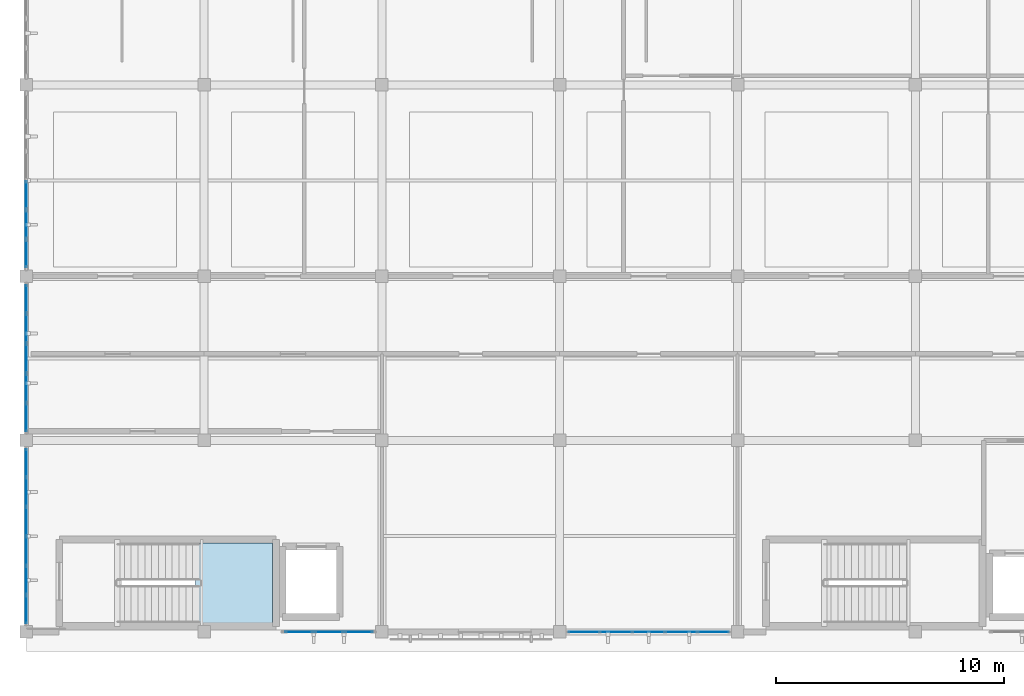
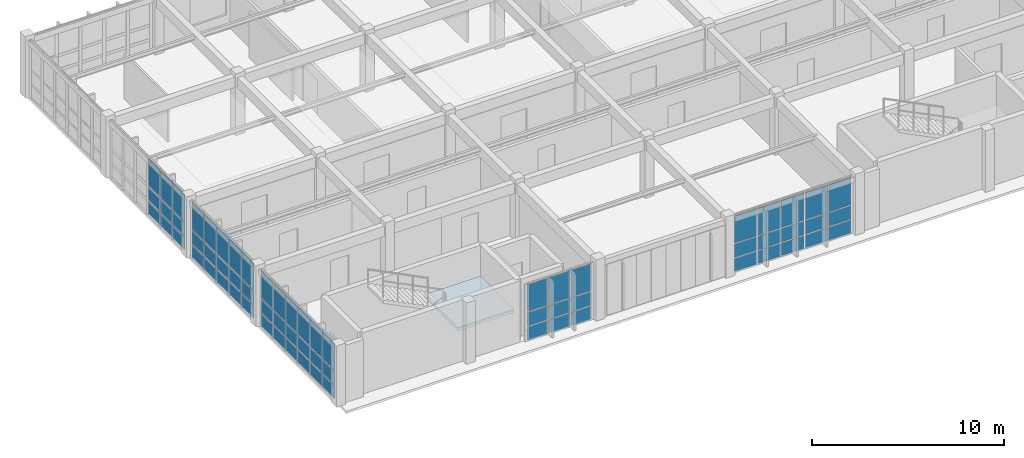
# One storey, part 18 of 35: 66 plates, 1 slab, 6 elements without a shape of their own.
"""IFC4 building model written with IfcOpenShell, lengths in metres."""

import ifcopenshell
import ifcopenshell.guid

model = None  # the IFC model being written
_history = None  # IfcOwnerHistory: only IFC2X3 demands one
_inside = {}  # id of a spatial element -> (the spatial element, [elements in it])
_under = {}  # id of a project, library or spatial element -> (it, [spatial elements below it])
_declared = {}  # id of a project -> (the project, [libraries it declares])
_typed = {}  # id of a type object -> (the type object, [elements of that type])
_made_of = {}  # id of a material, layer set ... -> (it, [elements and type objects made of it])


def new_model(schema):
    """Start an empty IFC model of exactly this schema.

    Asked for "IFC4X3", IfcOpenShell would pick the latest addendum, in which some entities
    have other attributes; the version numbers below select the first issue.
    IFC2X3 requires an IfcOwnerHistory on every rooted entity: one is made here for all.
    """
    global model, _history
    if schema == "IFC4X3":
        model = ifcopenshell.file(schema_version=(4, 3, 0, 0))
    else:
        model = ifcopenshell.file(schema=schema)
    _inside.clear()
    _under.clear()
    _declared.clear()
    _typed.clear()
    _made_of.clear()
    _history = None
    if model.schema == "IFC2X3":
        org = make("IfcOrganization", Name="unknown")
        user = make(
            "IfcPersonAndOrganization",
            ThePerson=make("IfcPerson", FamilyName="unknown"),
            TheOrganization=org,
        )
        app = make(
            "IfcApplication",
            ApplicationDeveloper=org,
            Version="unknown",
            ApplicationFullName="unknown",
            ApplicationIdentifier="unknown",
        )
        _history = make(
            "IfcOwnerHistory",
            OwningUser=user,
            OwningApplication=app,
            ChangeAction="ADDED",
            CreationDate=0,
        )
    return model


def make(cls, **values):
    """One entity of the class cls with the attributes given. An attribute that is None is left unset."""
    return model.create_entity(
        cls, **{name: value for name, value in values.items() if value is not None}
    )


def rooted(cls, **values):
    """An entity with a GlobalId (a new one), such as an element, a storey or a relation."""
    return make(cls, GlobalId=ifcopenshell.guid.new(), OwnerHistory=_history, **values)


def si_unit(unit_type, name, prefix=None):
    """IfcSIUnit, for example si_unit("LENGTHUNIT", "METRE", prefix="MILLI")."""
    return make("IfcSIUnit", UnitType=unit_type, Prefix=prefix, Name=name)


def assignment(units):
    """IfcUnitAssignment: the units of a project."""
    return None if units is None else make("IfcUnitAssignment", Units=units)


def point(xyz):
    """IfcCartesianPoint."""
    return None if xyz is None else make("IfcCartesianPoint", Coordinates=xyz)


def direction(xyz):
    """IfcDirection."""
    return None if xyz is None else make("IfcDirection", DirectionRatios=xyz)


def frame(location, z_axis=None, x_axis=None):
    """IfcAxis2Placement3D, a coordinate frame: its origin and axes. An axis left out is left unset."""
    return make(
        "IfcAxis2Placement3D",
        Location=point(location),
        Axis=direction(z_axis),
        RefDirection=direction(x_axis),
    )


def frame_2d(location, x_axis=None):
    """IfcAxis2Placement2D, a coordinate frame in the plane: its origin and x axis."""
    return make(
        "IfcAxis2Placement2D", Location=point(location), RefDirection=direction(x_axis)
    )


def origin():
    """The frame at (0, 0, 0) with its axes left unset."""
    return frame((0.0, 0.0, 0.0))


def origin_2d():
    """The frame at (0, 0) in the plane with its x axis left unset."""
    return frame_2d((0.0, 0.0))


def place(relative_to, where):
    """IfcLocalPlacement: puts the frame where relative to a parent placement (None: the world)."""
    return make(
        "IfcLocalPlacement", PlacementRelTo=relative_to, RelativePlacement=where
    )


def context(
    kind, dimensions, precision=None, world=None, true_north=None, identifier=None
):
    """IfcGeometricRepresentationContext, for example the 3D "Model" context."""
    return make(
        "IfcGeometricRepresentationContext",
        ContextIdentifier=identifier,
        ContextType=kind,
        CoordinateSpaceDimension=dimensions,
        Precision=precision,
        WorldCoordinateSystem=world,
        TrueNorth=true_north,
    )


def subcontext(parent, identifier, kind, view, scale=None):
    """IfcGeometricRepresentationSubContext, for example "Body" below "Model"."""
    return make(
        "IfcGeometricRepresentationSubContext",
        ContextIdentifier=identifier,
        ContextType=kind,
        ParentContext=parent,
        TargetScale=scale,
        TargetView=view,
    )


def project(units=None, contexts=None):
    """IfcProject with its units and contexts."""
    return rooted(
        "IfcProject",
        Name="project",
        RepresentationContexts=contexts,
        UnitsInContext=assignment(units),
    )


def spatial(cls, under=None, at=None, **own):
    """A site, building, storey or space (cls), placed at a placement, below another one or the project."""
    s = rooted(cls, ObjectPlacement=at, **own)
    if under is not None:
        _under.setdefault(under.id(), (under, []))[1].append(s)
    return s


def polyline(points):
    """IfcPolyline through the points."""
    return make("IfcPolyline", Points=[point(p) for p in points])


def profile(cls, at=None, kind="AREA", **sizes):
    """A parametric profile (cls). Its sizes go by their IFC names, for example OverallWidth=200.0."""
    return make(cls, ProfileType=kind, Position=at, **sizes)


def rectangle(**sizes):
    """IfcRectangleProfileDef."""
    return profile("IfcRectangleProfileDef", **sizes)


def outline(outer, holes=None, kind="AREA"):
    """IfcArbitraryClosedProfileDef: a profile drawn as a closed curve; with holes, ...WithVoids."""
    if holes is None:
        return make("IfcArbitraryClosedProfileDef", ProfileType=kind, OuterCurve=outer)
    return make(
        "IfcArbitraryProfileDefWithVoids",
        ProfileType=kind,
        OuterCurve=outer,
        InnerCurves=holes,
    )


def extrude(swept, where, along, depth):
    """IfcExtrudedAreaSolid: the profile swept, set in the frame where, extruded along a direction by depth."""
    return make(
        "IfcExtrudedAreaSolid",
        SweptArea=swept,
        Position=where,
        ExtrudedDirection=direction(along),
        Depth=depth,
    )


def shape(context_of_items, identifier, shape_type, items):
    """IfcShapeRepresentation: the items that make up one representation, for example the "Body"."""
    return make(
        "IfcShapeRepresentation",
        ContextOfItems=context_of_items,
        RepresentationIdentifier=identifier,
        RepresentationType=shape_type,
        Items=items,
    )


def material(Name=None, Category=None):
    """IfcMaterial."""
    return make("IfcMaterial", Name=Name, Category=Category)


def layer(
    of_material, thickness, ventilated=None, Name=None, Category=None, Priority=None
):
    """IfcMaterialLayer: one layer of a wall or slab, of a material (None: an air gap)."""
    return make(
        "IfcMaterialLayer",
        Material=of_material,
        LayerThickness=thickness,
        IsVentilated=ventilated,
        Name=Name,
        Category=Category,
        Priority=Priority,
    )


def layer_set(layers, Name=None):
    """IfcMaterialLayerSet."""
    return make("IfcMaterialLayerSet", MaterialLayers=layers, LayerSetName=Name)


def made_of(thing, what):
    """Note that an element or type object is made of a material, layer set ...; save() writes the relation."""
    if what is not None:
        _made_of.setdefault(what.id(), (what, []))[1].append(thing)
    return thing


def type_object(cls, material=None, **own):
    """A type object (cls), such as IfcWallType, which elements share."""
    return made_of(rooted(cls, **own), material)


def element(
    cls,
    number,
    at=None,
    inside=None,
    cuts=None,
    type_object=None,
    material=None,
    context=None,
    identifier="Body",
    shape_type=None,
    held_by="IfcProductDefinitionShape",
    body=None,
    shapes=None,
    **own,
):
    """One element of the class cls, such as IfcWall. Its Tag is "e" and its number.

    at: its placement. inside: the storey or other place that contains it. cuts: it is an
    opening in that element (IfcRelVoidsElement). A single representation is given by context,
    identifier, shape_type and body (its items); several are given by shapes. held_by: the class
    of the entity that holds the representations. save() writes the other relations.
    """
    e = rooted(cls, Tag="e%d" % number, ObjectPlacement=at, **own)
    if body is not None:
        shapes = [shape(context, identifier, shape_type, body)]
    if shapes is not None:
        e.Representation = make(held_by, Representations=shapes)
    if inside is not None:
        _inside.setdefault(inside.id(), (inside, []))[1].append(e)
    if cuts is not None:
        rooted(
            "IfcRelVoidsElement", RelatingBuildingElement=cuts, RelatedOpeningElement=e
        )
    if type_object is not None:
        _typed.setdefault(type_object.id(), (type_object, []))[1].append(e)
    return made_of(e, material)


def aggregate(whole, parts):
    """IfcRelAggregates: a whole, such as a stair, and the parts it consists of."""
    return rooted("IfcRelAggregates", RelatingObject=whole, RelatedObjects=parts)


def save(model, path):
    """Write the relations noted so far, then the file.

    IfcRelAggregates (storeys below a building ...), IfcRelContainedInSpatialStructure (elements
    in a storey), IfcRelDefinesByType, IfcRelAssociatesMaterial and IfcRelDeclares: one each for
    every whole, place, type object, material and project.
    """
    for whole, parts in _under.values():
        aggregate(whole, parts)
    for where, things in _inside.values():
        rooted(
            "IfcRelContainedInSpatialStructure",
            RelatedElements=things,
            RelatingStructure=where,
        )
    for kind, things in _typed.values():
        rooted("IfcRelDefinesByType", RelatedObjects=things, RelatingType=kind)
    for what, things in _made_of.values():
        rooted("IfcRelAssociatesMaterial", RelatedObjects=things, RelatingMaterial=what)
    for by, libraries in _declared.values():
        rooted("IfcRelDeclares", RelatingContext=by, RelatedDefinitions=libraries)
    model.write(path)


model = new_model("IFC4")

# Units and contexts
model_context = context("Model", 3, precision=1e-05, world=origin(), true_north=direction((0.0, 1.0)))
body_context = subcontext(model_context, "Body", "Model", "MODEL_VIEW")
ifc_project = project(units=[si_unit("LENGTHUNIT", "METRE"), si_unit("AREAUNIT", "SQUARE_METRE"), si_unit("VOLUMEUNIT", "CUBIC_METRE"), si_unit("PLANEANGLEUNIT", "RADIAN"), si_unit("MASSUNIT", "GRAM", prefix="KILO")], contexts=[model_context])

# Site, building, storey
site_placement = place(None, origin())
site = spatial("IfcSite", under=ifc_project, at=site_placement, CompositionType="ELEMENT")
building_placement = place(site_placement, origin())
building = spatial("IfcBuilding", under=site, at=building_placement, Name="Tizgana Railside Sports Hall", CompositionType="ELEMENT")
storey_placement = place(building_placement, frame((0.0, 0.0, 15.89990234375)))
storey = spatial("IfcBuildingStorey", under=building, at=storey_placement, Name="L03", CompositionType="ELEMENT", Elevation=15.89990234375)

# Curtain wall, plates
ifc_material_1 = material(Name="Anodised aluminium and glass", Category="aluminium")
curtain_wall_type_1 = type_object("IfcCurtainWallType", Name="Unitised Curtain Wall Foyer 1300", PredefinedType="NOTDEFINED", material=ifc_material_1)
curtain_wall_1_placement = place(storey_placement, origin())
curtain_wall_1 = element("IfcCurtainWall", 1, at=curtain_wall_1_placement, inside=storey, type_object=curtain_wall_type_1, Name="L03 Curtain Wall CW-0129", PredefinedType="NOTDEFINED")
ifc_material_2 = material(Name="Double low-E laminated glass", Category="glass")
ifc_layer_1 = layer(ifc_material_2, 0.033935546875, Name="Double low-E laminated glass")
ifc_layer_set_1 = layer_set([ifc_layer_1], Name="Double low-E laminated glass")
plate_type_1 = type_object("IfcPlateType", Name="Acoustic Laminated Glazing Panel 34", PredefinedType="CURTAIN_PANEL", material=ifc_layer_set_1)
plate_1_placement = place(storey_placement, frame((7.800048828125, 14.599853515625, 0.06494140625), z_axis=(0.0, 0.0, 1.0), x_axis=(0.0, -1.0, 0.0)))
plate_1 = element("IfcPlate", 2, at=plate_1_placement, type_object=plate_type_1, Name="CW-02 panel 1.1", PredefinedType="CURTAIN_PANEL", context=body_context, shape_type="SweptSolid", body=[
    extrude(rectangle(XDim=1.21044921875, YDim=0.033935546875, at=origin_2d()), origin(), (0.0, 0.0, 1.0), 0.802490234375),
])
plate_2_placement = place(storey_placement, frame((7.800048828125, 14.599853515625, 0.9326171875), z_axis=(0.0, 0.0, 1.0), x_axis=(0.0, -1.0, 0.0)))
plate_2 = element("IfcPlate", 3, at=plate_2_placement, type_object=plate_type_1, Name="CW-02 panel 1.2", PredefinedType="CURTAIN_PANEL", context=body_context, shape_type="SweptSolid", body=[
    extrude(rectangle(XDim=1.21044921875, YDim=0.033935546875, at=origin_2d()), origin(), (0.0, 0.0, 1.0), 0.85498046875),
])
plate_3_placement = place(storey_placement, frame((7.800048828125, 14.599853515625, 1.8525390625), z_axis=(0.0, 0.0, 1.0), x_axis=(0.0, -1.0, 0.0)))
plate_3 = element("IfcPlate", 4, at=plate_3_placement, type_object=plate_type_1, Name="CW-02 panel 1.3", PredefinedType="CURTAIN_PANEL", context=body_context, shape_type="SweptSolid", body=[
    extrude(rectangle(XDim=1.21044921875, YDim=0.033935546875, at=origin_2d()), origin(), (0.0, 0.0, 1.0), 1.722412109375),
])
plate_4_placement = place(storey_placement, frame((7.800048828125, 13.30810546875, 0.06494140625), z_axis=(0.0, 0.0, 1.0), x_axis=(0.0, -1.0, 0.0)))
plate_4 = element("IfcPlate", 5, at=plate_4_placement, type_object=plate_type_1, Name="CW-02 panel 2.1", PredefinedType="CURTAIN_PANEL", context=body_context, shape_type="SweptSolid", body=[
    extrude(rectangle(XDim=1.242919921875, YDim=0.033935546875, at=origin_2d()), origin(), (0.0, 0.0, 1.0), 0.802490234375),
])
plate_5_placement = place(storey_placement, frame((7.800048828125, 13.30810546875, 0.9326171875), z_axis=(0.0, 0.0, 1.0), x_axis=(0.0, -1.0, 0.0)))
plate_5 = element("IfcPlate", 6, at=plate_5_placement, type_object=plate_type_1, Name="CW-02 panel 2.2", PredefinedType="CURTAIN_PANEL", context=body_context, shape_type="SweptSolid", body=[
    extrude(rectangle(XDim=1.242919921875, YDim=0.033935546875, at=origin_2d()), origin(), (0.0, 0.0, 1.0), 0.85498046875),
])
plate_6_placement = place(storey_placement, frame((7.800048828125, 13.30810546875, 1.8525390625), z_axis=(0.0, 0.0, 1.0), x_axis=(0.0, -1.0, 0.0)))
plate_6 = element("IfcPlate", 7, at=plate_6_placement, type_object=plate_type_1, Name="CW-02 panel 2.3", PredefinedType="CURTAIN_PANEL", context=body_context, shape_type="SweptSolid", body=[
    extrude(rectangle(XDim=1.242919921875, YDim=0.033935546875, at=origin_2d()), origin(), (0.0, 0.0, 1.0), 1.722412109375),
])
plate_7_placement = place(storey_placement, frame((7.800048828125, 12.0, 0.06494140625), z_axis=(0.0, 0.0, 1.0), x_axis=(0.0, -1.0, 0.0)))
plate_7 = element("IfcPlate", 8, at=plate_7_placement, type_object=plate_type_1, Name="CW-02 panel 3.1", PredefinedType="CURTAIN_PANEL", context=body_context, shape_type="SweptSolid", body=[
    extrude(rectangle(XDim=1.242919921875, YDim=0.033935546875, at=origin_2d()), origin(), (0.0, 0.0, 1.0), 0.802490234375),
])
plate_8_placement = place(storey_placement, frame((7.800048828125, 12.0, 0.9326171875), z_axis=(0.0, 0.0, 1.0), x_axis=(0.0, -1.0, 0.0)))
plate_8 = element("IfcPlate", 9, at=plate_8_placement, type_object=plate_type_1, Name="CW-02 panel 3.2", PredefinedType="CURTAIN_PANEL", context=body_context, shape_type="SweptSolid", body=[
    extrude(rectangle(XDim=1.242919921875, YDim=0.033935546875, at=origin_2d()), origin(), (0.0, 0.0, 1.0), 0.85498046875),
])
plate_9_placement = place(storey_placement, frame((7.800048828125, 12.0, 1.8525390625), z_axis=(0.0, 0.0, 1.0), x_axis=(0.0, -1.0, 0.0)))
plate_9 = element("IfcPlate", 10, at=plate_9_placement, type_object=plate_type_1, Name="CW-02 panel 3.3", PredefinedType="CURTAIN_PANEL", context=body_context, shape_type="SweptSolid", body=[
    extrude(rectangle(XDim=1.242919921875, YDim=0.033935546875, at=origin_2d()), origin(), (0.0, 0.0, 1.0), 1.722412109375),
])
plate_10_placement = place(storey_placement, frame((7.800048828125, 10.69189453125, 0.06494140625), z_axis=(0.0, 0.0, 1.0), x_axis=(0.0, -1.0, 0.0)))
plate_10 = element("IfcPlate", 11, at=plate_10_placement, type_object=plate_type_1, Name="CW-02 panel 4.1", PredefinedType="CURTAIN_PANEL", context=body_context, shape_type="SweptSolid", body=[
    extrude(rectangle(XDim=1.242919921875, YDim=0.033935546875, at=origin_2d()), origin(), (0.0, 0.0, 1.0), 0.802490234375),
])
plate_11_placement = place(storey_placement, frame((7.800048828125, 10.69189453125, 0.9326171875), z_axis=(0.0, 0.0, 1.0), x_axis=(0.0, -1.0, 0.0)))
plate_11 = element("IfcPlate", 12, at=plate_11_placement, type_object=plate_type_1, Name="CW-02 panel 4.2", PredefinedType="CURTAIN_PANEL", context=body_context, shape_type="SweptSolid", body=[
    extrude(rectangle(XDim=1.242919921875, YDim=0.033935546875, at=origin_2d()), origin(), (0.0, 0.0, 1.0), 0.85498046875),
])
plate_12_placement = place(storey_placement, frame((7.800048828125, 10.69189453125, 1.8525390625), z_axis=(0.0, 0.0, 1.0), x_axis=(0.0, -1.0, 0.0)))
plate_12 = element("IfcPlate", 13, at=plate_12_placement, type_object=plate_type_1, Name="CW-02 panel 4.3", PredefinedType="CURTAIN_PANEL", context=body_context, shape_type="SweptSolid", body=[
    extrude(rectangle(XDim=1.242919921875, YDim=0.033935546875, at=origin_2d()), origin(), (0.0, 0.0, 1.0), 1.722412109375),
])
plate_13_placement = place(storey_placement, frame((7.800048828125, 9.400146484375, 0.06494140625), z_axis=(0.0, 0.0, 1.0), x_axis=(0.0, -1.0, 0.0)))
plate_13 = element("IfcPlate", 14, at=plate_13_placement, type_object=plate_type_1, Name="CW-02 panel 5.1", PredefinedType="CURTAIN_PANEL", context=body_context, shape_type="SweptSolid", body=[
    extrude(rectangle(XDim=1.21044921875, YDim=0.033935546875, at=origin_2d()), origin(), (0.0, 0.0, 1.0), 0.802490234375),
])
plate_14_placement = place(storey_placement, frame((7.800048828125, 9.400146484375, 0.9326171875), z_axis=(0.0, 0.0, 1.0), x_axis=(0.0, -1.0, 0.0)))
plate_14 = element("IfcPlate", 15, at=plate_14_placement, type_object=plate_type_1, Name="CW-02 panel 5.2", PredefinedType="CURTAIN_PANEL", context=body_context, shape_type="SweptSolid", body=[
    extrude(rectangle(XDim=1.21044921875, YDim=0.033935546875, at=origin_2d()), origin(), (0.0, 0.0, 1.0), 0.85498046875),
])
plate_15_placement = place(storey_placement, frame((7.800048828125, 9.400146484375, 1.8525390625), z_axis=(0.0, 0.0, 1.0), x_axis=(0.0, -1.0, 0.0)))
plate_15 = element("IfcPlate", 16, at=plate_15_placement, type_object=plate_type_1, Name="CW-02 panel 5.3", PredefinedType="CURTAIN_PANEL", context=body_context, shape_type="SweptSolid", body=[
    extrude(rectangle(XDim=1.21044921875, YDim=0.033935546875, at=origin_2d()), origin(), (0.0, 0.0, 1.0), 1.722412109375),
])
aggregate(curtain_wall_1, [plate_1, plate_2, plate_3, plate_4, plate_5, plate_6, plate_7, plate_8, plate_9, plate_10, plate_11, plate_12, plate_13, plate_14, plate_15])

# Stair, slab
ifc_material_3 = material(Name="Concrete C35/45", Category="concrete")
stair_type = type_object("IfcStairType", Name="Core Protected Stair 1500", PredefinedType="HALF_TURN_STAIR", material=ifc_material_3)
stair_placement = place(storey_placement, origin())
stair = element("IfcStair", 17, at=stair_placement, inside=storey, type_object=stair_type, Name="L03 Core Stair ST-01", PredefinedType="HALF_TURN_STAIR")
ifc_layer_2 = layer(ifc_material_3, 0.199951171875, Name="Concrete C35/45")
ifc_layer_set_2 = layer_set([ifc_layer_2], Name="Concrete C35/45")
slab_type = type_object("IfcSlabType", Name="Core Stair Landing Slab 200", PredefinedType="LANDING", material=ifc_layer_set_2)
slab_placement = place(storey_placement, frame((0.0, 0.0, 1.75)))
slab = element("IfcSlab", 18, at=slab_placement, type_object=slab_type, Name="ST-01 landing 1", PredefinedType="LANDING", context=body_context, shape_type="SweptSolid", body=[
    extrude(outline(polyline([(15.219970703125, 0.39990234375), (18.60009765625, 0.39990234375), (18.60009765625, 3.89990234375), (15.219970703125, 3.89990234375), (15.219970703125, 0.39990234375)])), origin(), (0.0, 0.0, 1.0), 0.2001953125),
])
aggregate(stair, [slab])

# Curtain wall, plates
curtain_wall_type_2 = type_object("IfcCurtainWallType", Name="Unitised Curtain Wall Studio 1400", PredefinedType="NOTDEFINED", material=ifc_material_1)
curtain_wall_2_placement = place(storey_placement, origin())
curtain_wall_2 = element("IfcCurtainWall", 19, at=curtain_wall_2_placement, inside=storey, type_object=curtain_wall_type_2, Name="L03 Curtain Wall CW-0130", PredefinedType="NOTDEFINED")
ifc_layer_3 = layer(ifc_material_2, 0.0400390625, Name="Double low-E laminated glass")
ifc_layer_set_3 = layer_set([ifc_layer_3], Name="Double low-E laminated glass")
plate_type_2 = type_object("IfcPlateType", Name="High-Span Tempered Glazing Panel 40", PredefinedType="CURTAIN_PANEL", material=ifc_layer_set_3)
plate_16_placement = place(storey_placement, frame((7.800048828125, 19.155029296875, 0.070068359375), z_axis=(0.0, 0.0, 1.0), x_axis=(0.0, -1.0, 0.0)))
plate_16 = element("IfcPlate", 20, at=plate_16_placement, type_object=plate_type_2, Name="CW-03 panel 4.1", PredefinedType="CURTAIN_PANEL", context=body_context, shape_type="SweptSolid", body=[
    extrude(rectangle(XDim=1.219970703125, YDim=0.0400390625, at=origin_2d()), origin(), (0.0, 0.0, 1.0), 0.794921875),
])
plate_17_placement = place(storey_placement, frame((7.800048828125, 19.155029296875, 0.93505859375), z_axis=(0.0, 0.0, 1.0), x_axis=(0.0, -1.0, 0.0)))
plate_17 = element("IfcPlate", 21, at=plate_17_placement, type_object=plate_type_2, Name="CW-03 panel 4.2", PredefinedType="CURTAIN_PANEL", context=body_context, shape_type="SweptSolid", body=[
    extrude(rectangle(XDim=1.219970703125, YDim=0.0400390625, at=origin_2d()), origin(), (0.0, 0.0, 1.0), 0.85009765625),
])
plate_18_placement = place(storey_placement, frame((7.800048828125, 19.155029296875, 1.85498046875), z_axis=(0.0, 0.0, 1.0), x_axis=(0.0, -1.0, 0.0)))
plate_18 = element("IfcPlate", 22, at=plate_18_placement, type_object=plate_type_2, Name="CW-03 panel 4.3", PredefinedType="CURTAIN_PANEL", context=body_context, shape_type="SweptSolid", body=[
    extrude(rectangle(XDim=1.219970703125, YDim=0.0400390625, at=origin_2d()), origin(), (0.0, 0.0, 1.0), 1.715087890625),
])
plate_19_placement = place(storey_placement, frame((7.800048828125, 17.864990234375, 0.070068359375), z_axis=(0.0, 0.0, 1.0), x_axis=(0.0, -1.0, 0.0)))
plate_19 = element("IfcPlate", 23, at=plate_19_placement, type_object=plate_type_2, Name="CW-03 panel 5.1", PredefinedType="CURTAIN_PANEL", context=body_context, shape_type="SweptSolid", body=[
    extrude(rectangle(XDim=1.219970703125, YDim=0.0400390625, at=origin_2d()), origin(), (0.0, 0.0, 1.0), 0.794921875),
])
plate_20_placement = place(storey_placement, frame((7.800048828125, 17.864990234375, 0.93505859375), z_axis=(0.0, 0.0, 1.0), x_axis=(0.0, -1.0, 0.0)))
plate_20 = element("IfcPlate", 24, at=plate_20_placement, type_object=plate_type_2, Name="CW-03 panel 5.2", PredefinedType="CURTAIN_PANEL", context=body_context, shape_type="SweptSolid", body=[
    extrude(rectangle(XDim=1.219970703125, YDim=0.0400390625, at=origin_2d()), origin(), (0.0, 0.0, 1.0), 0.85009765625),
])
plate_21_placement = place(storey_placement, frame((7.800048828125, 17.864990234375, 1.85498046875), z_axis=(0.0, 0.0, 1.0), x_axis=(0.0, -1.0, 0.0)))
plate_21 = element("IfcPlate", 25, at=plate_21_placement, type_object=plate_type_2, Name="CW-03 panel 5.3", PredefinedType="CURTAIN_PANEL", context=body_context, shape_type="SweptSolid", body=[
    extrude(rectangle(XDim=1.219970703125, YDim=0.0400390625, at=origin_2d()), origin(), (0.0, 0.0, 1.0), 1.715087890625),
])
plate_22_placement = place(storey_placement, frame((7.800048828125, 16.592529296875, 0.070068359375), z_axis=(0.0, 0.0, 1.0), x_axis=(0.0, -1.0, 0.0)))
plate_22 = element("IfcPlate", 26, at=plate_22_placement, type_object=plate_type_2, Name="CW-03 panel 6.1", PredefinedType="CURTAIN_PANEL", context=body_context, shape_type="SweptSolid", body=[
    extrude(rectangle(XDim=1.18505859375, YDim=0.0400390625, at=origin_2d()), origin(), (0.0, 0.0, 1.0), 0.794921875),
])
plate_23_placement = place(storey_placement, frame((7.800048828125, 16.592529296875, 0.93505859375), z_axis=(0.0, 0.0, 1.0), x_axis=(0.0, -1.0, 0.0)))
plate_23 = element("IfcPlate", 27, at=plate_23_placement, type_object=plate_type_2, Name="CW-03 panel 6.2", PredefinedType="CURTAIN_PANEL", context=body_context, shape_type="SweptSolid", body=[
    extrude(rectangle(XDim=1.18505859375, YDim=0.0400390625, at=origin_2d()), origin(), (0.0, 0.0, 1.0), 0.85009765625),
])
plate_24_placement = place(storey_placement, frame((7.800048828125, 16.592529296875, 1.85498046875), z_axis=(0.0, 0.0, 1.0), x_axis=(0.0, -1.0, 0.0)))
plate_24 = element("IfcPlate", 28, at=plate_24_placement, type_object=plate_type_2, Name="CW-03 panel 6.3", PredefinedType="CURTAIN_PANEL", context=body_context, shape_type="SweptSolid", body=[
    extrude(rectangle(XDim=1.18505859375, YDim=0.0400390625, at=origin_2d()), origin(), (0.0, 0.0, 1.0), 1.715087890625),
])
aggregate(curtain_wall_2, [plate_16, plate_17, plate_18, plate_19, plate_20, plate_21, plate_22, plate_23, plate_24])

curtain_wall_type_3 = type_object("IfcCurtainWallType", Name="Unitised Curtain Wall EastHall 1500", PredefinedType="NOTDEFINED", material=ifc_material_1)
curtain_wall_3_placement = place(storey_placement, origin())
curtain_wall_3 = element("IfcCurtainWall", 29, at=curtain_wall_3_placement, inside=storey, type_object=curtain_wall_type_3, Name="L03 Curtain Wall CW-0119", PredefinedType="NOTDEFINED")
ifc_layer_4 = layer(ifc_material_2, 0.031982421875, Name="Double low-E laminated glass")
ifc_layer_set_4 = layer_set([ifc_layer_4], Name="Double low-E laminated glass")
plate_type_3 = type_object("IfcPlateType", Name="North-Light Clerestory Glazing Panel 32", PredefinedType="CURTAIN_PANEL", material=ifc_layer_set_4)
plate_25_placement = place(storey_placement, frame((22.38623046875, 0.0, 0.05517578125), z_axis=(0.0, 0.0, 1.0), x_axis=(-1.0, 0.0, 0.0)))
plate_25 = element("IfcPlate", 30, at=plate_25_placement, type_object=plate_type_3, Name="CW-08 panel 1.1", PredefinedType="CURTAIN_PANEL", context=body_context, shape_type="SweptSolid", body=[
    extrude(rectangle(XDim=1.217529296875, YDim=0.031982421875, at=origin_2d()), origin(), (0.0, 0.0, 1.0), 0.8173828125),
])
plate_26_placement = place(storey_placement, frame((22.38623046875, 0.0, 0.927734375), z_axis=(0.0, 0.0, 1.0), x_axis=(-1.0, 0.0, 0.0)))
plate_26 = element("IfcPlate", 31, at=plate_26_placement, type_object=plate_type_3, Name="CW-08 panel 1.2", PredefinedType="CURTAIN_PANEL", context=body_context, shape_type="SweptSolid", body=[
    extrude(rectangle(XDim=1.217529296875, YDim=0.031982421875, at=origin_2d()), origin(), (0.0, 0.0, 1.0), 0.864990234375),
])
plate_27_placement = place(storey_placement, frame((22.38623046875, 0.0, 1.84765625), z_axis=(0.0, 0.0, 1.0), x_axis=(-1.0, 0.0, 0.0)))
plate_27 = element("IfcPlate", 32, at=plate_27_placement, type_object=plate_type_3, Name="CW-08 panel 1.3", PredefinedType="CURTAIN_PANEL", context=body_context, shape_type="SweptSolid", body=[
    extrude(rectangle(XDim=1.217529296875, YDim=0.031982421875, at=origin_2d()), origin(), (0.0, 0.0, 1.0), 1.737548828125),
])
plate_28_placement = place(storey_placement, frame((21.074951171875, 0.0, 0.05517578125), z_axis=(0.0, 0.0, 1.0), x_axis=(-1.0, 0.0, 0.0)))
plate_28 = element("IfcPlate", 33, at=plate_28_placement, type_object=plate_type_3, Name="CW-08 panel 2.1", PredefinedType="CURTAIN_PANEL", context=body_context, shape_type="SweptSolid", body=[
    extrude(rectangle(XDim=1.2548828125, YDim=0.031982421875, at=origin_2d()), origin(), (0.0, 0.0, 1.0), 0.8173828125),
])
plate_29_placement = place(storey_placement, frame((21.074951171875, 0.0, 0.927734375), z_axis=(0.0, 0.0, 1.0), x_axis=(-1.0, 0.0, 0.0)))
plate_29 = element("IfcPlate", 34, at=plate_29_placement, type_object=plate_type_3, Name="CW-08 panel 2.2", PredefinedType="CURTAIN_PANEL", context=body_context, shape_type="SweptSolid", body=[
    extrude(rectangle(XDim=1.2548828125, YDim=0.031982421875, at=origin_2d()), origin(), (0.0, 0.0, 1.0), 0.864990234375),
])
plate_30_placement = place(storey_placement, frame((21.074951171875, 0.0, 1.84765625), z_axis=(0.0, 0.0, 1.0), x_axis=(-1.0, 0.0, 0.0)))
plate_30 = element("IfcPlate", 35, at=plate_30_placement, type_object=plate_type_3, Name="CW-08 panel 2.3", PredefinedType="CURTAIN_PANEL", context=body_context, shape_type="SweptSolid", body=[
    extrude(rectangle(XDim=1.2548828125, YDim=0.031982421875, at=origin_2d()), origin(), (0.0, 0.0, 1.0), 1.737548828125),
])
plate_31_placement = place(storey_placement, frame((19.763671875, 0.0, 0.05517578125), z_axis=(0.0, 0.0, 1.0), x_axis=(-1.0, 0.0, 0.0)))
plate_31 = element("IfcPlate", 36, at=plate_31_placement, type_object=plate_type_3, Name="CW-08 panel 3.1", PredefinedType="CURTAIN_PANEL", context=body_context, shape_type="SweptSolid", body=[
    extrude(rectangle(XDim=1.217529296875, YDim=0.031982421875, at=origin_2d()), origin(), (0.0, 0.0, 1.0), 0.8173828125),
])
plate_32_placement = place(storey_placement, frame((19.763671875, 0.0, 0.927734375), z_axis=(0.0, 0.0, 1.0), x_axis=(-1.0, 0.0, 0.0)))
plate_32 = element("IfcPlate", 37, at=plate_32_placement, type_object=plate_type_3, Name="CW-08 panel 3.2", PredefinedType="CURTAIN_PANEL", context=body_context, shape_type="SweptSolid", body=[
    extrude(rectangle(XDim=1.217529296875, YDim=0.031982421875, at=origin_2d()), origin(), (0.0, 0.0, 1.0), 0.864990234375),
])
plate_33_placement = place(storey_placement, frame((19.763671875, 0.0, 1.84765625), z_axis=(0.0, 0.0, 1.0), x_axis=(-1.0, 0.0, 0.0)))
plate_33 = element("IfcPlate", 38, at=plate_33_placement, type_object=plate_type_3, Name="CW-08 panel 3.3", PredefinedType="CURTAIN_PANEL", context=body_context, shape_type="SweptSolid", body=[
    extrude(rectangle(XDim=1.217529296875, YDim=0.031982421875, at=origin_2d()), origin(), (0.0, 0.0, 1.0), 1.737548828125),
])
aggregate(curtain_wall_3, [plate_25, plate_26, plate_27, plate_28, plate_29, plate_30, plate_31, plate_32, plate_33])

curtain_wall_type_4 = type_object("IfcCurtainWallType", Name="Unitised Curtain Wall Concourse 1500", PredefinedType="NOTDEFINED", material=ifc_material_1)
curtain_wall_4_placement = place(storey_placement, origin())
curtain_wall_4 = element("IfcCurtainWall", 39, at=curtain_wall_4_placement, inside=storey, type_object=curtain_wall_type_4, Name="L03 Curtain Wall CW-0120", PredefinedType="NOTDEFINED")
ifc_layer_5 = layer(ifc_material_2, 0.028076171875, Name="Double low-E laminated glass")
ifc_layer_set_5 = layer_set([ifc_layer_5], Name="Double low-E laminated glass")
plate_type_4 = type_object("IfcPlateType", Name="Solar Low-E Glazing Panel 28", PredefinedType="CURTAIN_PANEL", material=ifc_layer_set_5)
plate_34_placement = place(storey_placement, frame((37.94091796875, 0.0, 0.06005859375), z_axis=(0.0, 0.0, 1.0), x_axis=(-1.0, 0.0, 0.0)))
plate_34 = element("IfcPlate", 40, at=plate_34_placement, type_object=plate_type_4, Name="CW-01 panel 1.1", PredefinedType="CURTAIN_PANEL", context=body_context, shape_type="SweptSolid", body=[
    extrude(rectangle(XDim=1.337890625, YDim=0.028076171875, at=origin_2d()), origin(), (0.0, 0.0, 1.0), 0.81005859375),
])
plate_35_placement = place(storey_placement, frame((37.94091796875, 0.0, 0.93017578125), z_axis=(0.0, 0.0, 1.0), x_axis=(-1.0, 0.0, 0.0)))
plate_35 = element("IfcPlate", 41, at=plate_35_placement, type_object=plate_type_4, Name="CW-01 panel 1.2", PredefinedType="CURTAIN_PANEL", context=body_context, shape_type="SweptSolid", body=[
    extrude(rectangle(XDim=1.337890625, YDim=0.028076171875, at=origin_2d()), origin(), (0.0, 0.0, 1.0), 0.860107421875),
])
plate_36_placement = place(storey_placement, frame((37.94091796875, 0.0, 1.85009765625), z_axis=(0.0, 0.0, 1.0), x_axis=(-1.0, 0.0, 0.0)))
plate_36 = element("IfcPlate", 42, at=plate_36_placement, type_object=plate_type_4, Name="CW-01 panel 1.3", PredefinedType="CURTAIN_PANEL", context=body_context, shape_type="SweptSolid", body=[
    extrude(rectangle(XDim=1.337890625, YDim=0.028076171875, at=origin_2d()), origin(), (0.0, 0.0, 1.0), 1.72998046875),
])
plate_37_placement = place(storey_placement, frame((36.528076171875, 0.0, 0.06005859375), z_axis=(0.0, 0.0, 1.0), x_axis=(-1.0, 0.0, 0.0)))
plate_37 = element("IfcPlate", 43, at=plate_37_placement, type_object=plate_type_4, Name="CW-01 panel 2.1", PredefinedType="CURTAIN_PANEL", context=body_context, shape_type="SweptSolid", body=[
    extrude(rectangle(XDim=1.367919921875, YDim=0.028076171875, at=origin_2d()), origin(), (0.0, 0.0, 1.0), 0.81005859375),
])
plate_38_placement = place(storey_placement, frame((36.528076171875, 0.0, 0.93017578125), z_axis=(0.0, 0.0, 1.0), x_axis=(-1.0, 0.0, 0.0)))
plate_38 = element("IfcPlate", 44, at=plate_38_placement, type_object=plate_type_4, Name="CW-01 panel 2.2", PredefinedType="CURTAIN_PANEL", context=body_context, shape_type="SweptSolid", body=[
    extrude(rectangle(XDim=1.367919921875, YDim=0.028076171875, at=origin_2d()), origin(), (0.0, 0.0, 1.0), 0.860107421875),
])
plate_39_placement = place(storey_placement, frame((36.528076171875, 0.0, 1.85009765625), z_axis=(0.0, 0.0, 1.0), x_axis=(-1.0, 0.0, 0.0)))
plate_39 = element("IfcPlate", 45, at=plate_39_placement, type_object=plate_type_4, Name="CW-01 panel 2.3", PredefinedType="CURTAIN_PANEL", context=body_context, shape_type="SweptSolid", body=[
    extrude(rectangle(XDim=1.367919921875, YDim=0.028076171875, at=origin_2d()), origin(), (0.0, 0.0, 1.0), 1.72998046875),
])
plate_40_placement = place(storey_placement, frame((35.10009765625, 0.0, 0.06005859375), z_axis=(0.0, 0.0, 1.0), x_axis=(-1.0, 0.0, 0.0)))
plate_40 = element("IfcPlate", 46, at=plate_40_placement, type_object=plate_type_4, Name="CW-01 panel 3.1", PredefinedType="CURTAIN_PANEL", context=body_context, shape_type="SweptSolid", body=[
    extrude(rectangle(XDim=1.367919921875, YDim=0.028076171875, at=origin_2d()), origin(), (0.0, 0.0, 1.0), 0.81005859375),
])
plate_41_placement = place(storey_placement, frame((35.10009765625, 0.0, 0.93017578125), z_axis=(0.0, 0.0, 1.0), x_axis=(-1.0, 0.0, 0.0)))
plate_41 = element("IfcPlate", 47, at=plate_41_placement, type_object=plate_type_4, Name="CW-01 panel 3.2", PredefinedType="CURTAIN_PANEL", context=body_context, shape_type="SweptSolid", body=[
    extrude(rectangle(XDim=1.367919921875, YDim=0.028076171875, at=origin_2d()), origin(), (0.0, 0.0, 1.0), 0.860107421875),
])
plate_42_placement = place(storey_placement, frame((35.10009765625, 0.0, 1.85009765625), z_axis=(0.0, 0.0, 1.0), x_axis=(-1.0, 0.0, 0.0)))
plate_42 = element("IfcPlate", 48, at=plate_42_placement, type_object=plate_type_4, Name="CW-01 panel 3.3", PredefinedType="CURTAIN_PANEL", context=body_context, shape_type="SweptSolid", body=[
    extrude(rectangle(XDim=1.367919921875, YDim=0.028076171875, at=origin_2d()), origin(), (0.0, 0.0, 1.0), 1.72998046875),
])
plate_43_placement = place(storey_placement, frame((33.672119140625, 0.0, 0.06005859375), z_axis=(0.0, 0.0, 1.0), x_axis=(-1.0, 0.0, 0.0)))
plate_43 = element("IfcPlate", 49, at=plate_43_placement, type_object=plate_type_4, Name="CW-01 panel 4.1", PredefinedType="CURTAIN_PANEL", context=body_context, shape_type="SweptSolid", body=[
    extrude(rectangle(XDim=1.367919921875, YDim=0.028076171875, at=origin_2d()), origin(), (0.0, 0.0, 1.0), 0.81005859375),
])
plate_44_placement = place(storey_placement, frame((33.672119140625, 0.0, 0.93017578125), z_axis=(0.0, 0.0, 1.0), x_axis=(-1.0, 0.0, 0.0)))
plate_44 = element("IfcPlate", 50, at=plate_44_placement, type_object=plate_type_4, Name="CW-01 panel 4.2", PredefinedType="CURTAIN_PANEL", context=body_context, shape_type="SweptSolid", body=[
    extrude(rectangle(XDim=1.367919921875, YDim=0.028076171875, at=origin_2d()), origin(), (0.0, 0.0, 1.0), 0.860107421875),
])
plate_45_placement = place(storey_placement, frame((33.672119140625, 0.0, 1.85009765625), z_axis=(0.0, 0.0, 1.0), x_axis=(-1.0, 0.0, 0.0)))
plate_45 = element("IfcPlate", 51, at=plate_45_placement, type_object=plate_type_4, Name="CW-01 panel 4.3", PredefinedType="CURTAIN_PANEL", context=body_context, shape_type="SweptSolid", body=[
    extrude(rectangle(XDim=1.367919921875, YDim=0.028076171875, at=origin_2d()), origin(), (0.0, 0.0, 1.0), 1.72998046875),
])
plate_46_placement = place(storey_placement, frame((32.259033203125, 0.0, 0.06005859375), z_axis=(0.0, 0.0, 1.0), x_axis=(-1.0, 0.0, 0.0)))
plate_46 = element("IfcPlate", 52, at=plate_46_placement, type_object=plate_type_4, Name="CW-01 panel 5.1", PredefinedType="CURTAIN_PANEL", context=body_context, shape_type="SweptSolid", body=[
    extrude(rectangle(XDim=1.337890625, YDim=0.028076171875, at=origin_2d()), origin(), (0.0, 0.0, 1.0), 0.81005859375),
])
plate_47_placement = place(storey_placement, frame((32.259033203125, 0.0, 0.93017578125), z_axis=(0.0, 0.0, 1.0), x_axis=(-1.0, 0.0, 0.0)))
plate_47 = element("IfcPlate", 53, at=plate_47_placement, type_object=plate_type_4, Name="CW-01 panel 5.2", PredefinedType="CURTAIN_PANEL", context=body_context, shape_type="SweptSolid", body=[
    extrude(rectangle(XDim=1.337890625, YDim=0.028076171875, at=origin_2d()), origin(), (0.0, 0.0, 1.0), 0.860107421875),
])
plate_48_placement = place(storey_placement, frame((32.259033203125, 0.0, 1.85009765625), z_axis=(0.0, 0.0, 1.0), x_axis=(-1.0, 0.0, 0.0)))
plate_48 = element("IfcPlate", 54, at=plate_48_placement, type_object=plate_type_4, Name="CW-01 panel 5.3", PredefinedType="CURTAIN_PANEL", context=body_context, shape_type="SweptSolid", body=[
    extrude(rectangle(XDim=1.337890625, YDim=0.028076171875, at=origin_2d()), origin(), (0.0, 0.0, 1.0), 1.72998046875),
])
aggregate(curtain_wall_4, [plate_34, plate_35, plate_36, plate_37, plate_38, plate_39, plate_40, plate_41, plate_42, plate_43, plate_44, plate_45, plate_46, plate_47, plate_48])

curtain_wall_5_placement = place(storey_placement, origin())
curtain_wall_5 = element("IfcCurtainWall", 55, at=curtain_wall_5_placement, inside=storey, type_object=curtain_wall_type_4, Name="L03 Curtain Wall CW-0128", PredefinedType="NOTDEFINED")
plate_49_placement = place(storey_placement, frame((7.800048828125, 7.409912109375, 0.06005859375), z_axis=(0.0, 0.0, 1.0), x_axis=(0.0, -1.0, 0.0)))
plate_49 = element("IfcPlate", 56, at=plate_49_placement, type_object=plate_type_4, Name="CW-01 panel 1.1", PredefinedType="CURTAIN_PANEL", context=body_context, shape_type="SweptSolid", body=[
    extrude(rectangle(XDim=1.199951171875, YDim=0.028076171875, at=origin_2d()), origin(), (0.0, 0.0, 1.0), 0.81005859375),
])
plate_50_placement = place(storey_placement, frame((7.800048828125, 7.409912109375, 0.93017578125), z_axis=(0.0, 0.0, 1.0), x_axis=(0.0, -1.0, 0.0)))
plate_50 = element("IfcPlate", 57, at=plate_50_placement, type_object=plate_type_4, Name="CW-01 panel 1.2", PredefinedType="CURTAIN_PANEL", context=body_context, shape_type="SweptSolid", body=[
    extrude(rectangle(XDim=1.199951171875, YDim=0.028076171875, at=origin_2d()), origin(), (0.0, 0.0, 1.0), 0.860107421875),
])
plate_51_placement = place(storey_placement, frame((7.800048828125, 7.409912109375, 1.85009765625), z_axis=(0.0, 0.0, 1.0), x_axis=(0.0, -1.0, 0.0)))
plate_51 = element("IfcPlate", 58, at=plate_51_placement, type_object=plate_type_4, Name="CW-01 panel 1.3", PredefinedType="CURTAIN_PANEL", context=body_context, shape_type="SweptSolid", body=[
    extrude(rectangle(XDim=1.199951171875, YDim=0.028076171875, at=origin_2d()), origin(), (0.0, 0.0, 1.0), 1.72998046875),
])
plate_52_placement = place(storey_placement, frame((7.800048828125, 6.135009765625, 0.06005859375), z_axis=(0.0, 0.0, 1.0), x_axis=(0.0, -1.0, 0.0)))
plate_52 = element("IfcPlate", 59, at=plate_52_placement, type_object=plate_type_4, Name="CW-01 panel 2.1", PredefinedType="CURTAIN_PANEL", context=body_context, shape_type="SweptSolid", body=[
    extrude(rectangle(XDim=1.22998046875, YDim=0.028076171875, at=origin_2d()), origin(), (0.0, 0.0, 1.0), 0.81005859375),
])
plate_53_placement = place(storey_placement, frame((7.800048828125, 6.135009765625, 0.93017578125), z_axis=(0.0, 0.0, 1.0), x_axis=(0.0, -1.0, 0.0)))
plate_53 = element("IfcPlate", 60, at=plate_53_placement, type_object=plate_type_4, Name="CW-01 panel 2.2", PredefinedType="CURTAIN_PANEL", context=body_context, shape_type="SweptSolid", body=[
    extrude(rectangle(XDim=1.22998046875, YDim=0.028076171875, at=origin_2d()), origin(), (0.0, 0.0, 1.0), 0.860107421875),
])
plate_54_placement = place(storey_placement, frame((7.800048828125, 6.135009765625, 1.85009765625), z_axis=(0.0, 0.0, 1.0), x_axis=(0.0, -1.0, 0.0)))
plate_54 = element("IfcPlate", 61, at=plate_54_placement, type_object=plate_type_4, Name="CW-01 panel 2.3", PredefinedType="CURTAIN_PANEL", context=body_context, shape_type="SweptSolid", body=[
    extrude(rectangle(XDim=1.22998046875, YDim=0.028076171875, at=origin_2d()), origin(), (0.0, 0.0, 1.0), 1.72998046875),
])
plate_55_placement = place(storey_placement, frame((7.800048828125, 4.844970703125, 0.06005859375), z_axis=(0.0, 0.0, 1.0), x_axis=(0.0, -1.0, 0.0)))
plate_55 = element("IfcPlate", 62, at=plate_55_placement, type_object=plate_type_4, Name="CW-01 panel 3.1", PredefinedType="CURTAIN_PANEL", context=body_context, shape_type="SweptSolid", body=[
    extrude(rectangle(XDim=1.22998046875, YDim=0.028076171875, at=origin_2d()), origin(), (0.0, 0.0, 1.0), 0.81005859375),
])
plate_56_placement = place(storey_placement, frame((7.800048828125, 4.844970703125, 0.93017578125), z_axis=(0.0, 0.0, 1.0), x_axis=(0.0, -1.0, 0.0)))
plate_56 = element("IfcPlate", 63, at=plate_56_placement, type_object=plate_type_4, Name="CW-01 panel 3.2", PredefinedType="CURTAIN_PANEL", context=body_context, shape_type="SweptSolid", body=[
    extrude(rectangle(XDim=1.22998046875, YDim=0.028076171875, at=origin_2d()), origin(), (0.0, 0.0, 1.0), 0.860107421875),
])
plate_57_placement = place(storey_placement, frame((7.800048828125, 4.844970703125, 1.85009765625), z_axis=(0.0, 0.0, 1.0), x_axis=(0.0, -1.0, 0.0)))
plate_57 = element("IfcPlate", 64, at=plate_57_placement, type_object=plate_type_4, Name="CW-01 panel 3.3", PredefinedType="CURTAIN_PANEL", context=body_context, shape_type="SweptSolid", body=[
    extrude(rectangle(XDim=1.22998046875, YDim=0.028076171875, at=origin_2d()), origin(), (0.0, 0.0, 1.0), 1.72998046875),
])
plate_58_placement = place(storey_placement, frame((7.800048828125, 3.554931640625, 0.06005859375), z_axis=(0.0, 0.0, 1.0), x_axis=(0.0, -1.0, 0.0)))
plate_58 = element("IfcPlate", 65, at=plate_58_placement, type_object=plate_type_4, Name="CW-01 panel 4.1", PredefinedType="CURTAIN_PANEL", context=body_context, shape_type="SweptSolid", body=[
    extrude(rectangle(XDim=1.22998046875, YDim=0.028076171875, at=origin_2d()), origin(), (0.0, 0.0, 1.0), 0.81005859375),
])
plate_59_placement = place(storey_placement, frame((7.800048828125, 3.554931640625, 0.93017578125), z_axis=(0.0, 0.0, 1.0), x_axis=(0.0, -1.0, 0.0)))
plate_59 = element("IfcPlate", 66, at=plate_59_placement, type_object=plate_type_4, Name="CW-01 panel 4.2", PredefinedType="CURTAIN_PANEL", context=body_context, shape_type="SweptSolid", body=[
    extrude(rectangle(XDim=1.22998046875, YDim=0.028076171875, at=origin_2d()), origin(), (0.0, 0.0, 1.0), 0.860107421875),
])
plate_60_placement = place(storey_placement, frame((7.800048828125, 3.554931640625, 1.85009765625), z_axis=(0.0, 0.0, 1.0), x_axis=(0.0, -1.0, 0.0)))
plate_60 = element("IfcPlate", 67, at=plate_60_placement, type_object=plate_type_4, Name="CW-01 panel 4.3", PredefinedType="CURTAIN_PANEL", context=body_context, shape_type="SweptSolid", body=[
    extrude(rectangle(XDim=1.22998046875, YDim=0.028076171875, at=origin_2d()), origin(), (0.0, 0.0, 1.0), 1.72998046875),
])
plate_61_placement = place(storey_placement, frame((7.800048828125, 2.264892578125, 0.06005859375), z_axis=(0.0, 0.0, 1.0), x_axis=(0.0, -1.0, 0.0)))
plate_61 = element("IfcPlate", 68, at=plate_61_placement, type_object=plate_type_4, Name="CW-01 panel 5.1", PredefinedType="CURTAIN_PANEL", context=body_context, shape_type="SweptSolid", body=[
    extrude(rectangle(XDim=1.22998046875, YDim=0.028076171875, at=origin_2d()), origin(), (0.0, 0.0, 1.0), 0.81005859375),
])
plate_62_placement = place(storey_placement, frame((7.800048828125, 2.264892578125, 0.93017578125), z_axis=(0.0, 0.0, 1.0), x_axis=(0.0, -1.0, 0.0)))
plate_62 = element("IfcPlate", 69, at=plate_62_placement, type_object=plate_type_4, Name="CW-01 panel 5.2", PredefinedType="CURTAIN_PANEL", context=body_context, shape_type="SweptSolid", body=[
    extrude(rectangle(XDim=1.22998046875, YDim=0.028076171875, at=origin_2d()), origin(), (0.0, 0.0, 1.0), 0.860107421875),
])
plate_63_placement = place(storey_placement, frame((7.800048828125, 2.264892578125, 1.85009765625), z_axis=(0.0, 0.0, 1.0), x_axis=(0.0, -1.0, 0.0)))
plate_63 = element("IfcPlate", 70, at=plate_63_placement, type_object=plate_type_4, Name="CW-01 panel 5.3", PredefinedType="CURTAIN_PANEL", context=body_context, shape_type="SweptSolid", body=[
    extrude(rectangle(XDim=1.22998046875, YDim=0.028076171875, at=origin_2d()), origin(), (0.0, 0.0, 1.0), 1.72998046875),
])
plate_64_placement = place(storey_placement, frame((7.800048828125, 0.989990234375, 0.06005859375), z_axis=(0.0, 0.0, 1.0), x_axis=(0.0, -1.0, 0.0)))
plate_64 = element("IfcPlate", 71, at=plate_64_placement, type_object=plate_type_4, Name="CW-01 panel 6.1", PredefinedType="CURTAIN_PANEL", context=body_context, shape_type="SweptSolid", body=[
    extrude(rectangle(XDim=1.199951171875, YDim=0.028076171875, at=origin_2d()), origin(), (0.0, 0.0, 1.0), 0.81005859375),
])
plate_65_placement = place(storey_placement, frame((7.800048828125, 0.989990234375, 0.93017578125), z_axis=(0.0, 0.0, 1.0), x_axis=(0.0, -1.0, 0.0)))
plate_65 = element("IfcPlate", 72, at=plate_65_placement, type_object=plate_type_4, Name="CW-01 panel 6.2", PredefinedType="CURTAIN_PANEL", context=body_context, shape_type="SweptSolid", body=[
    extrude(rectangle(XDim=1.199951171875, YDim=0.028076171875, at=origin_2d()), origin(), (0.0, 0.0, 1.0), 0.860107421875),
])
plate_66_placement = place(storey_placement, frame((7.800048828125, 0.989990234375, 1.85009765625), z_axis=(0.0, 0.0, 1.0), x_axis=(0.0, -1.0, 0.0)))
plate_66 = element("IfcPlate", 73, at=plate_66_placement, type_object=plate_type_4, Name="CW-01 panel 6.3", PredefinedType="CURTAIN_PANEL", context=body_context, shape_type="SweptSolid", body=[
    extrude(rectangle(XDim=1.199951171875, YDim=0.028076171875, at=origin_2d()), origin(), (0.0, 0.0, 1.0), 1.72998046875),
])
aggregate(curtain_wall_5, [plate_49, plate_50, plate_51, plate_52, plate_53, plate_54, plate_55, plate_56, plate_57, plate_58, plate_59, plate_60, plate_61, plate_62, plate_63, plate_64, plate_65, plate_66])

save(model, "model.ifc")
